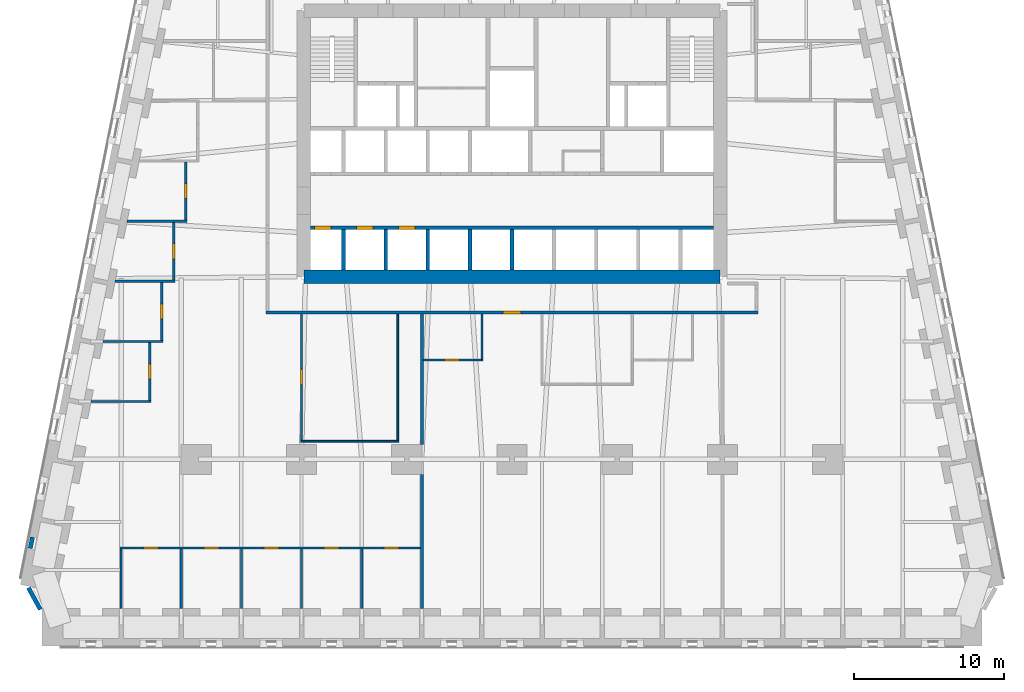
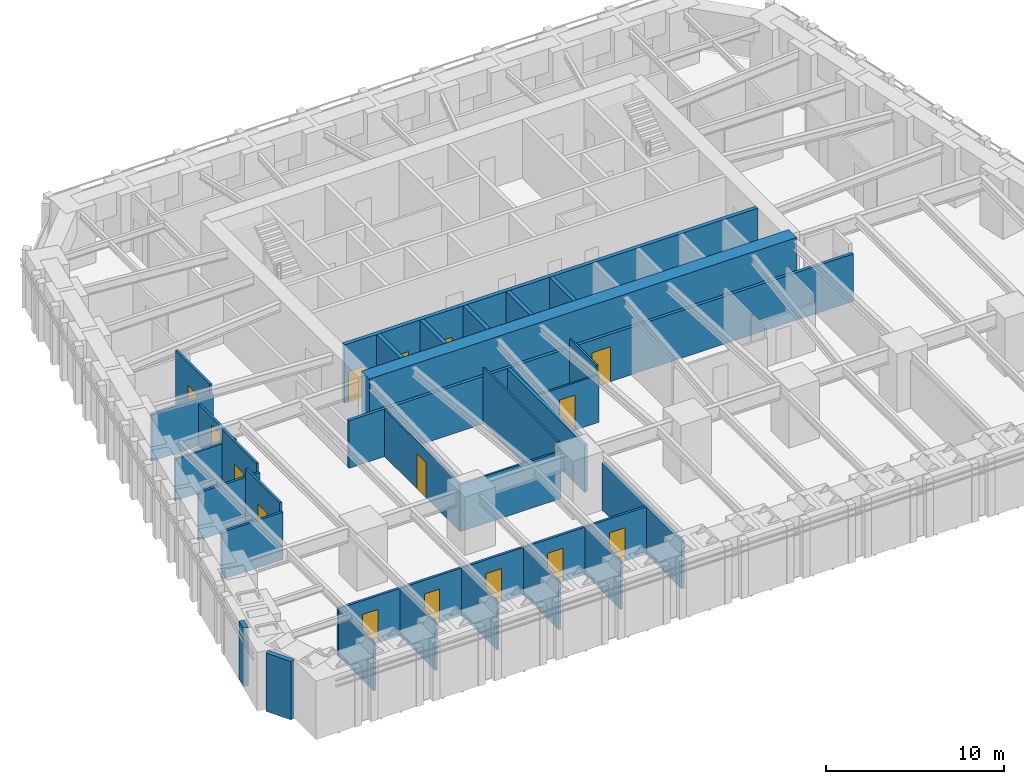
# One storey, part 12 of 17: 31 walls, 15 doors, 15 openings.
"""IFC4 building model written with IfcOpenShell, lengths in metres."""

from ifc_helpers import new_model, si_unit, direction, frame, frame_2d, origin, place, context, subcontext, project, spatial, rectangle, extrude, material, layer, layer_set, type_object, element, fill, save


model = new_model("IFC4")

# Units and contexts
model_context = context("Model", 3, precision=1e-05, world=origin(), true_north=direction((0.0, 1.0)))
body_context = subcontext(model_context, "Body", "Model", "MODEL_VIEW")
ifc_project = project(units=[si_unit("LENGTHUNIT", "METRE"), si_unit("AREAUNIT", "SQUARE_METRE"), si_unit("VOLUMEUNIT", "CUBIC_METRE"), si_unit("PLANEANGLEUNIT", "RADIAN"), si_unit("MASSUNIT", "GRAM", prefix="KILO")], contexts=[model_context])

# Site, building, storey
site_placement = place(None, origin())
site = spatial("IfcSite", under=ifc_project, at=site_placement, CompositionType="ELEMENT")
building_placement = place(site_placement, origin())
building = spatial("IfcBuilding", under=site, at=building_placement, Name="Isbrekke Arena Tower", CompositionType="ELEMENT")
storey_placement = place(building_placement, frame((0.0, 0.0, 48.0)))
storey = spatial("IfcBuildingStorey", under=building, at=storey_placement, Name="L09", CompositionType="ELEMENT", Elevation=48.0)

# Wall
ifc_material_1 = material(Name="Concrete B65 (C65/80)", Category="concrete")
ifc_layer_1 = layer(ifc_material_1, 0.89990234375)
ifc_layer_set_1 = layer_set([ifc_layer_1], Name="CW2 CORE WALL 900")
wall_type_1 = type_object("IfcWallType", Name="CW2 CORE WALL 900", PredefinedType="SHEAR", material=ifc_layer_set_1)
wall_1_placement = place(storey_placement, frame((-13.85009765625, 6.14990234375, 0.0), z_axis=(0.0, 0.0, 1.0), x_axis=(1.0, 0.0, 0.0)))
element("IfcWall", 1, at=wall_1_placement, inside=storey, type_object=wall_type_1, Name="Core wall S L09", PredefinedType="SHEAR", context=body_context, shape_type="SweptSolid", body=[
    extrude(rectangle(XDim=27.7001953125, YDim=0.89990234375, at=frame_2d((13.85009765625, 0.0))), origin(), (0.0, 0.0, 1.0), 4.0),
])

# Wall, openings, doors
ifc_material_2 = material(Name="Concrete B45 (C45/55)", Category="concrete")
ifc_layer_2 = layer(ifc_material_2, 0.25)
ifc_layer_set_2 = layer_set([ifc_layer_2], Name="CW6 SHAFT WALL 250")
wall_type_2 = type_object("IfcWallType", Name="CW6 SHAFT WALL 250", PredefinedType="SHEAR", material=ifc_layer_set_2)
wall_2_placement = place(storey_placement, frame((-13.39990234375, 9.39990234375, 0.0), z_axis=(0.0, 0.0, 1.0), x_axis=(1.0, 0.0, 0.0)))
wall_2 = element("IfcWall", 2, at=wall_2_placement, inside=storey, type_object=wall_type_2, Name="Core wall LS L09", PredefinedType="SHEAR", context=body_context, shape_type="SweptSolid", body=[
    extrude(rectangle(XDim=26.7998046875, YDim=0.25, at=frame_2d((13.39990234375, 0.0))), origin(), (0.0, 0.0, 1.0), 4.0),
])
opening_1_placement = place(wall_2_placement, frame((0.25, 0.0, 0.0)))
opening_1 = element("IfcOpeningElement", 3, at=opening_1_placement, cuts=wall_2, Name="Opening LD1", PredefinedType="OPENING", context=body_context, shape_type="SweptSolid", body=[
    extrude(rectangle(XDim=1.10009765625, YDim=2.10009765625, at=frame_2d((0.550048828125, 1.050048828125))), frame((0.0, 0.139892578125, 0.0), z_axis=(0.0, -1.0, 0.0), x_axis=(1.0, 0.0, 0.0)), (0.0, 0.0, 1.0), 0.27978515625),
])
opening_2_placement = place(wall_2_placement, frame((3.050048828125, 0.0, 0.0)))
opening_2 = element("IfcOpeningElement", 4, at=opening_2_placement, cuts=wall_2, Name="Opening LD1", PredefinedType="OPENING", context=body_context, shape_type="SweptSolid", body=[
    extrude(rectangle(XDim=1.10009765625, YDim=2.10009765625, at=frame_2d((0.550048828125, 1.050048828125))), frame((0.0, 0.139892578125, 0.0), z_axis=(0.0, -1.0, 0.0), x_axis=(1.0, 0.0, 0.0)), (0.0, 0.0, 1.0), 0.27978515625),
])
opening_3_placement = place(wall_2_placement, frame((5.85009765625, 0.0, 0.0)))
opening_3 = element("IfcOpeningElement", 5, at=opening_3_placement, cuts=wall_2, Name="Opening LD1", PredefinedType="OPENING", context=body_context, shape_type="SweptSolid", body=[
    extrude(rectangle(XDim=1.10009765625, YDim=2.10009765625, at=frame_2d((0.550048828125, 1.050048828125))), frame((0.0, 0.139892578125, 0.0), z_axis=(0.0, -1.0, 0.0), x_axis=(1.0, 0.0, 0.0)), (0.0, 0.0, 1.0), 0.27978515625),
])
ifc_material_3 = material(Name="Stainless steel lift landing door", Category="steel")
door_type_1 = type_object("IfcDoorType", Name="LD1 LIFT LANDING DOOR 1100 x 2100", OperationType="SLIDING_TO_LEFT", PredefinedType="DOOR", material=ifc_material_3)
door_1_placement = place(opening_1_placement, origin())
door_1 = element("IfcDoor", 6, at=door_1_placement, inside=storey, type_object=door_type_1, Name="LD1 lift landing door LA L09", OperationType="SLIDING_TO_LEFT", OverallHeight=2.10009765625, OverallWidth=1.10009765625, PredefinedType="DOOR", context=body_context, shape_type="SweptSolid", body=[
    extrude(rectangle(XDim=1.10009765625, YDim=2.10009765625, at=frame_2d((0.550048828125, 1.050048828125))), frame((0.0, 0.124755859375, 0.0), z_axis=(0.0, -1.0, 0.0), x_axis=(1.0, 0.0, 0.0)), (0.0, 0.0, 1.0), 0.24951171875),
])
fill(opening_1, door_1)
door_2_placement = place(opening_2_placement, origin())
door_2 = element("IfcDoor", 7, at=door_2_placement, inside=storey, type_object=door_type_1, Name="LD1 lift landing door LA L09", OperationType="SLIDING_TO_LEFT", OverallHeight=2.10009765625, OverallWidth=1.10009765625, PredefinedType="DOOR", context=body_context, shape_type="SweptSolid", body=[
    extrude(rectangle(XDim=1.10009765625, YDim=2.10009765625, at=frame_2d((0.550048828125, 1.050048828125))), frame((0.0, 0.124755859375, 0.0), z_axis=(0.0, -1.0, 0.0), x_axis=(1.0, 0.0, 0.0)), (0.0, 0.0, 1.0), 0.24951171875),
])
fill(opening_2, door_2)
door_3_placement = place(opening_3_placement, origin())
door_3 = element("IfcDoor", 8, at=door_3_placement, inside=storey, type_object=door_type_1, Name="LD1 lift landing door LA L09", OperationType="SLIDING_TO_LEFT", OverallHeight=2.10009765625, OverallWidth=1.10009765625, PredefinedType="DOOR", context=body_context, shape_type="SweptSolid", body=[
    extrude(rectangle(XDim=1.10009765625, YDim=2.10009765625, at=frame_2d((0.550048828125, 1.050048828125))), frame((0.0, 0.124755859375, 0.0), z_axis=(0.0, -1.0, 0.0), x_axis=(1.0, 0.0, 0.0)), (0.0, 0.0, 1.0), 0.24951171875),
])
fill(opening_3, door_3)

# Walls
for number, where, z_axis, x_axis, name in (
    (9, (-11.199951171875, 6.60009765625, 0.0), (0.0, 0.0, 1.0), (0.0, 1.0, 0.0), "Core wall SS01 L09"),
    (10, (-8.39990234375, 6.60009765625, 0.0), (0.0, 0.0, 1.0), (0.0, 1.0, 0.0), "Core wall SS02 L09"),
    (11, (-5.60009765625, 6.60009765625, 0.0), (0.0, 0.0, 1.0), (0.0, 1.0, 0.0), "Core wall SS03 L09"),
    (12, (-2.800048828125, 6.60009765625, 0.0), (0.0, 0.0, 1.0), (0.0, 1.0, 0.0), "Core wall SS04 L09"),
    (13, (0.0, 6.60009765625, 0.0), (0.0, 0.0, 1.0), (0.0, 1.0, 0.0), "Core wall SS05 L09"),
):
    element("IfcWall", number, at=place(storey_placement, frame(where, z_axis=z_axis, x_axis=x_axis)), inside=storey, type_object=wall_type_2, Name=name, PredefinedType="SHEAR", context=body_context, shape_type="SweptSolid", body=[
        extrude(rectangle(XDim=2.6748046875, YDim=0.25, at=frame_2d((1.33740234375, 0.0))), origin(), (0.0, 0.0, 1.0), 4.0),
    ])
ifc_material_4 = material(Name="Insulated aluminium panel on steel framing", Category="steel")
ifc_layer_3 = layer(ifc_material_4, 0.300048828125)
ifc_layer_set_3 = layer_set([ifc_layer_3], Name="EW4 INSULATED PANEL WALL 300")
wall_type_3 = type_object("IfcWallType", Name="EW4 INSULATED PANEL WALL 300", PredefinedType="SOLIDWALL", material=ifc_layer_set_3)
wall_3_placement = place(storey_placement, frame((-31.890380859375, -11.1767578125, 0.0), z_axis=(0.0, 0.0, 1.0), x_axis=(-0.195867092459, -0.980630451338, 0.0)))
element("IfcWall", 14, at=wall_3_placement, inside=storey, type_object=wall_type_3, Name="EW4 closure panel L09-W 1", PredefinedType="SOLIDWALL", context=body_context, shape_type="SweptSolid", body=[
    extrude(rectangle(XDim=0.754150390625, YDim=0.300048828125, at=frame_2d((0.376953125, 0.0))), origin(), (0.0, 0.0, 1.0), 4.0),
])
wall_4_placement = place(storey_placement, frame((-32.160400390625, -14.538818359375, 0.0), z_axis=(0.0, 0.0, 1.0), x_axis=(0.481879089964, -0.876237720402, 0.0)))
element("IfcWall", 15, at=wall_4_placement, inside=storey, type_object=wall_type_3, Name="EW4 corner closure panel L09-WS", PredefinedType="SOLIDWALL", context=body_context, shape_type="SweptSolid", body=[
    extrude(rectangle(XDim=1.654296875, YDim=0.300048828125, at=frame_2d((0.8271484375, 0.0))), origin(), (0.0, 0.0, 1.0), 4.0),
])

# Wall, openings, doors
ifc_material_5 = material(Name="Gypsum board partition on steel studs", Category="steel")
ifc_layer_4 = layer(ifc_material_5, 0.14990234375)
ifc_layer_set_4 = layer_set([ifc_layer_4], Name="IW1 PARTITION 150")
wall_type_4 = type_object("IfcWallType", Name="IW1 PARTITION 150", PredefinedType="PARTITIONING", material=ifc_layer_set_4)
wall_5_placement = place(storey_placement, frame((-26.074951171875, -11.89990234375, 0.0), z_axis=(0.0, 0.0, 1.0), x_axis=(1.0, 0.0, 0.0)))
wall_5 = element("IfcWall", 16, at=wall_5_placement, inside=storey, type_object=wall_type_4, Name="IW1 partition 150 L09", PredefinedType="PARTITIONING", context=body_context, shape_type="SweptSolid", body=[
    extrude(rectangle(XDim=19.974853515625, YDim=0.14990234375, at=frame_2d((9.9873046875, 0.0))), origin(), (0.0, 0.0, 1.0), 3.25),
])
opening_4_placement = place(wall_5_placement, frame((1.574951171875, 0.0, 0.0)))
opening_4 = element("IfcOpeningElement", 17, at=opening_4_placement, cuts=wall_5, Name="Opening D10", PredefinedType="OPENING", context=body_context, shape_type="SweptSolid", body=[
    extrude(rectangle(XDim=1.0, YDim=2.300048828125, at=frame_2d((0.5, 1.14990234375))), frame((0.0, 0.08984375, 0.0), z_axis=(0.0, -1.0, 0.0), x_axis=(1.0, 0.0, 0.0)), (0.0, 0.0, 1.0), 0.1796875),
])
opening_5_placement = place(wall_5_placement, frame((5.574951171875, 0.0, 0.0)))
opening_5 = element("IfcOpeningElement", 18, at=opening_5_placement, cuts=wall_5, Name="Opening D10", PredefinedType="OPENING", context=body_context, shape_type="SweptSolid", body=[
    extrude(rectangle(XDim=1.0, YDim=2.300048828125, at=frame_2d((0.5, 1.14990234375))), frame((0.0, 0.08984375, 0.0), z_axis=(0.0, -1.0, 0.0), x_axis=(1.0, 0.0, 0.0)), (0.0, 0.0, 1.0), 0.1796875),
])
opening_6_placement = place(wall_5_placement, frame((9.574951171875, 0.0, 0.0)))
opening_6 = element("IfcOpeningElement", 19, at=opening_6_placement, cuts=wall_5, Name="Opening D10", PredefinedType="OPENING", context=body_context, shape_type="SweptSolid", body=[
    extrude(rectangle(XDim=1.0, YDim=2.300048828125, at=frame_2d((0.5, 1.14990234375))), frame((0.0, 0.08984375, 0.0), z_axis=(0.0, -1.0, 0.0), x_axis=(1.0, 0.0, 0.0)), (0.0, 0.0, 1.0), 0.1796875),
])
opening_7_placement = place(wall_5_placement, frame((13.574951171875, 0.0, 0.0)))
opening_7 = element("IfcOpeningElement", 20, at=opening_7_placement, cuts=wall_5, Name="Opening D10", PredefinedType="OPENING", context=body_context, shape_type="SweptSolid", body=[
    extrude(rectangle(XDim=1.0, YDim=2.300048828125, at=frame_2d((0.5, 1.14990234375))), frame((0.0, 0.08984375, 0.0), z_axis=(0.0, -1.0, 0.0), x_axis=(1.0, 0.0, 0.0)), (0.0, 0.0, 1.0), 0.1796875),
])
opening_8_placement = place(wall_5_placement, frame((17.574951171875, 0.0, 0.0)))
opening_8 = element("IfcOpeningElement", 21, at=opening_8_placement, cuts=wall_5, Name="Opening D10", PredefinedType="OPENING", context=body_context, shape_type="SweptSolid", body=[
    extrude(rectangle(XDim=1.0, YDim=2.300048828125, at=frame_2d((0.5, 1.14990234375))), frame((0.0, 0.08984375, 0.0), z_axis=(0.0, -1.0, 0.0), x_axis=(1.0, 0.0, 0.0)), (0.0, 0.0, 1.0), 0.1796875),
])
ifc_material_6 = material(Name="Timber door", Category="wood")
door_type_2 = type_object("IfcDoorType", Name="D10 OFFICE DOOR 1000 x 2300", OperationType="SINGLE_SWING_LEFT", PredefinedType="DOOR", material=ifc_material_6)
door_4_placement = place(opening_4_placement, origin())
door_4 = element("IfcDoor", 22, at=door_4_placement, inside=storey, type_object=door_type_2, Name="D10 office door L09", OperationType="SINGLE_SWING_LEFT", OverallHeight=2.300048828125, OverallWidth=1.0, PredefinedType="DOOR", context=body_context, shape_type="SweptSolid", body=[
    extrude(rectangle(XDim=1.0, YDim=2.300048828125, at=frame_2d((0.5, 1.14990234375))), frame((0.0, 0.07470703125, 0.0), z_axis=(0.0, -1.0, 0.0), x_axis=(1.0, 0.0, 0.0)), (0.0, 0.0, 1.0), 0.1494140625),
])
fill(opening_4, door_4)
door_5_placement = place(opening_5_placement, origin())
door_5 = element("IfcDoor", 23, at=door_5_placement, inside=storey, type_object=door_type_2, Name="D10 office door L09", OperationType="SINGLE_SWING_LEFT", OverallHeight=2.300048828125, OverallWidth=1.0, PredefinedType="DOOR", context=body_context, shape_type="SweptSolid", body=[
    extrude(rectangle(XDim=1.0, YDim=2.300048828125, at=frame_2d((0.5, 1.14990234375))), frame((0.0, 0.07470703125, 0.0), z_axis=(0.0, -1.0, 0.0), x_axis=(1.0, 0.0, 0.0)), (0.0, 0.0, 1.0), 0.1494140625),
])
fill(opening_5, door_5)
door_6_placement = place(opening_6_placement, origin())
door_6 = element("IfcDoor", 24, at=door_6_placement, inside=storey, type_object=door_type_2, Name="D10 office door L09", OperationType="SINGLE_SWING_LEFT", OverallHeight=2.300048828125, OverallWidth=1.0, PredefinedType="DOOR", context=body_context, shape_type="SweptSolid", body=[
    extrude(rectangle(XDim=1.0, YDim=2.300048828125, at=frame_2d((0.5, 1.14990234375))), frame((0.0, 0.07470703125, 0.0), z_axis=(0.0, -1.0, 0.0), x_axis=(1.0, 0.0, 0.0)), (0.0, 0.0, 1.0), 0.1494140625),
])
fill(opening_6, door_6)
door_7_placement = place(opening_7_placement, origin())
door_7 = element("IfcDoor", 25, at=door_7_placement, inside=storey, type_object=door_type_2, Name="D10 office door L09", OperationType="SINGLE_SWING_LEFT", OverallHeight=2.300048828125, OverallWidth=1.0, PredefinedType="DOOR", context=body_context, shape_type="SweptSolid", body=[
    extrude(rectangle(XDim=1.0, YDim=2.300048828125, at=frame_2d((0.5, 1.14990234375))), frame((0.0, 0.07470703125, 0.0), z_axis=(0.0, -1.0, 0.0), x_axis=(1.0, 0.0, 0.0)), (0.0, 0.0, 1.0), 0.1494140625),
])
fill(opening_7, door_7)
door_8_placement = place(opening_8_placement, origin())
door_8 = element("IfcDoor", 26, at=door_8_placement, inside=storey, type_object=door_type_2, Name="D10 office door L09", OperationType="SINGLE_SWING_LEFT", OverallHeight=2.300048828125, OverallWidth=1.0, PredefinedType="DOOR", context=body_context, shape_type="SweptSolid", body=[
    extrude(rectangle(XDim=1.0, YDim=2.300048828125, at=frame_2d((0.5, 1.14990234375))), frame((0.0, 0.07470703125, 0.0), z_axis=(0.0, -1.0, 0.0), x_axis=(1.0, 0.0, 0.0)), (0.0, 0.0, 1.0), 0.1494140625),
])
fill(opening_8, door_8)

# Walls
wall_6_placement = place(storey_placement, frame((-27.996337890625, -2.159912109375, 0.0), z_axis=(0.0, 0.0, 1.0), x_axis=(1.0, 0.0, 0.0)))
element("IfcWall", 27, at=wall_6_placement, inside=storey, type_object=wall_type_4, Name="IW1 partition 150 L09", PredefinedType="PARTITIONING", context=body_context, shape_type="SweptSolid", body=[
    extrude(rectangle(XDim=3.971435546875, YDim=0.14990234375, at=frame_2d((1.98583984375, 0.0))), origin(), (0.0, 0.0, 1.0), 3.25),
])
wall_7_placement = place(storey_placement, frame((-27.1962890625, 1.840087890625, 0.0), z_axis=(0.0, 0.0, 1.0), x_axis=(1.0, 0.0, 0.0)))
element("IfcWall", 28, at=wall_7_placement, inside=storey, type_object=wall_type_4, Name="IW1 partition 150 L09", PredefinedType="PARTITIONING", context=body_context, shape_type="SweptSolid", body=[
    extrude(rectangle(XDim=3.97119140625, YDim=0.14990234375, at=frame_2d((1.985595703125, 0.0))), origin(), (0.0, 0.0, 1.0), 3.25),
])
wall_8_placement = place(storey_placement, frame((-26.396484375, 5.840087890625, 0.0), z_axis=(0.0, 0.0, 1.0), x_axis=(1.0, 0.0, 0.0)))
element("IfcWall", 29, at=wall_8_placement, inside=storey, type_object=wall_type_4, Name="IW1 partition 150 L09", PredefinedType="PARTITIONING", context=body_context, shape_type="SweptSolid", body=[
    extrude(rectangle(XDim=3.971435546875, YDim=0.14990234375, at=frame_2d((1.98583984375, 0.0))), origin(), (0.0, 0.0, 1.0), 2.842041015625),
])
wall_9_placement = place(storey_placement, frame((-25.596435546875, 9.840087890625, 0.0), z_axis=(0.0, 0.0, 1.0), x_axis=(1.0, 0.0, 0.0)))
element("IfcWall", 30, at=wall_9_placement, inside=storey, type_object=wall_type_4, Name="IW1 partition 150 L09", PredefinedType="PARTITIONING", context=body_context, shape_type="SweptSolid", body=[
    extrude(rectangle(XDim=3.971435546875, YDim=0.14990234375, at=frame_2d((1.98583984375, 0.0))), origin(), (0.0, 0.0, 1.0), 3.25),
])
wall_10_placement = place(storey_placement, frame((-26.0, -15.925048828125, 0.0), z_axis=(0.0, 0.0, 1.0), x_axis=(0.0, 1.0, 0.0)))
element("IfcWall", 31, at=wall_10_placement, inside=storey, type_object=wall_type_4, Name="IW1 partition 150 L09", PredefinedType="PARTITIONING", context=body_context, shape_type="SweptSolid", body=[
    extrude(rectangle(XDim=3.949951171875, YDim=0.14990234375, at=frame_2d((1.97509765625, 0.0))), origin(), (0.0, 0.0, 1.0), 3.25),
])

# Wall, opening, door
wall_11_placement = place(storey_placement, frame((-24.10009765625, -2.0849609375, 0.0), z_axis=(0.0, 0.0, 1.0), x_axis=(0.0, 1.0, 0.0)))
wall_11 = element("IfcWall", 32, at=wall_11_placement, inside=storey, type_object=wall_type_4, Name="IW1 partition 150 L09", PredefinedType="PARTITIONING", context=body_context, shape_type="SweptSolid", body=[
    extrude(rectangle(XDim=3.849853515625, YDim=0.14990234375, at=frame_2d((1.9248046875, 0.0))), origin(), (0.0, 0.0, 1.0), 3.85009765625),
])
opening_9_placement = place(wall_11_placement, frame((1.425048828125, 0.0, 0.0)))
opening_9 = element("IfcOpeningElement", 33, at=opening_9_placement, cuts=wall_11, Name="Opening D10", PredefinedType="OPENING", context=body_context, shape_type="SweptSolid", body=[
    extrude(rectangle(XDim=1.0, YDim=2.300048828125, at=frame_2d((0.5, 1.14990234375))), frame((0.0, 0.08984375, 0.0), z_axis=(0.0, -1.0, 0.0), x_axis=(1.0, 0.0, 0.0)), (0.0, 0.0, 1.0), 0.1796875),
])
door_9_placement = place(opening_9_placement, origin())
door_9 = element("IfcDoor", 34, at=door_9_placement, inside=storey, type_object=door_type_2, Name="D10 office door L09", OperationType="SINGLE_SWING_LEFT", OverallHeight=2.300048828125, OverallWidth=1.0, PredefinedType="DOOR", context=body_context, shape_type="SweptSolid", body=[
    extrude(rectangle(XDim=1.0, YDim=2.300048828125, at=frame_2d((0.5, 1.14990234375))), frame((0.0, 0.07470703125, 0.0), z_axis=(0.0, -1.0, 0.0), x_axis=(1.0, 0.0, 0.0)), (0.0, 0.0, 1.0), 0.1494140625),
])
fill(opening_9, door_9)

wall_12_placement = place(storey_placement, frame((-23.300048828125, 1.9150390625, 0.0), z_axis=(0.0, 0.0, 1.0), x_axis=(0.0, 1.0, 0.0)))
wall_12 = element("IfcWall", 35, at=wall_12_placement, inside=storey, type_object=wall_type_4, Name="IW1 partition 150 L09", PredefinedType="PARTITIONING", context=body_context, shape_type="SweptSolid", body=[
    extrude(rectangle(XDim=3.849853515625, YDim=0.14990234375, at=frame_2d((1.9248046875, 0.0))), origin(), (0.0, 0.0, 1.0), 3.85009765625),
])
opening_10_placement = place(wall_12_placement, frame((1.425048828125, 0.0, 0.0)))
opening_10 = element("IfcOpeningElement", 36, at=opening_10_placement, cuts=wall_12, Name="Opening D10", PredefinedType="OPENING", context=body_context, shape_type="SweptSolid", body=[
    extrude(rectangle(XDim=1.0, YDim=2.300048828125, at=frame_2d((0.5, 1.14990234375))), frame((0.0, 0.08984375, 0.0), z_axis=(0.0, -1.0, 0.0), x_axis=(1.0, 0.0, 0.0)), (0.0, 0.0, 1.0), 0.1796875),
])
door_10_placement = place(opening_10_placement, origin())
door_10 = element("IfcDoor", 37, at=door_10_placement, inside=storey, type_object=door_type_2, Name="D10 office door L09", OperationType="SINGLE_SWING_LEFT", OverallHeight=2.300048828125, OverallWidth=1.0, PredefinedType="DOOR", context=body_context, shape_type="SweptSolid", body=[
    extrude(rectangle(XDim=1.0, YDim=2.300048828125, at=frame_2d((0.5, 1.14990234375))), frame((0.0, 0.07470703125, 0.0), z_axis=(0.0, -1.0, 0.0), x_axis=(1.0, 0.0, 0.0)), (0.0, 0.0, 1.0), 0.1494140625),
])
fill(opening_10, door_10)

wall_13_placement = place(storey_placement, frame((-22.5, 5.9150390625, 0.0), z_axis=(0.0, 0.0, 1.0), x_axis=(0.0, 1.0, 0.0)))
wall_13 = element("IfcWall", 38, at=wall_13_placement, inside=storey, type_object=wall_type_4, Name="IW1 partition 150 L09", PredefinedType="PARTITIONING", context=body_context, shape_type="SweptSolid", body=[
    extrude(rectangle(XDim=3.849853515625, YDim=0.14990234375, at=frame_2d((1.9248046875, 0.0))), origin(), (0.0, 0.0, 1.0), 2.842041015625),
])
opening_11_placement = place(wall_13_placement, frame((1.425048828125, 0.0, 0.0)))
opening_11 = element("IfcOpeningElement", 39, at=opening_11_placement, cuts=wall_13, Name="Opening D10", PredefinedType="OPENING", context=body_context, shape_type="SweptSolid", body=[
    extrude(rectangle(XDim=1.0, YDim=2.300048828125, at=frame_2d((0.5, 1.14990234375))), frame((0.0, 0.08984375, 0.0), z_axis=(0.0, -1.0, 0.0), x_axis=(1.0, 0.0, 0.0)), (0.0, 0.0, 1.0), 0.1796875),
])
door_11_placement = place(opening_11_placement, origin())
door_11 = element("IfcDoor", 40, at=door_11_placement, inside=storey, type_object=door_type_2, Name="D10 office door L09", OperationType="SINGLE_SWING_LEFT", OverallHeight=2.300048828125, OverallWidth=1.0, PredefinedType="DOOR", context=body_context, shape_type="SweptSolid", body=[
    extrude(rectangle(XDim=1.0, YDim=2.300048828125, at=frame_2d((0.5, 1.14990234375))), frame((0.0, 0.07470703125, 0.0), z_axis=(0.0, -1.0, 0.0), x_axis=(1.0, 0.0, 0.0)), (0.0, 0.0, 1.0), 0.1494140625),
])
fill(opening_11, door_11)

# Wall
wall_14_placement = place(storey_placement, frame((-22.0, -15.925048828125, 0.0), z_axis=(0.0, 0.0, 1.0), x_axis=(0.0, 1.0, 0.0)))
element("IfcWall", 41, at=wall_14_placement, inside=storey, type_object=wall_type_4, Name="IW1 partition 150 L09", PredefinedType="PARTITIONING", context=body_context, shape_type="SweptSolid", body=[
    extrude(rectangle(XDim=3.949951171875, YDim=0.14990234375, at=frame_2d((1.97509765625, 0.0))), origin(), (0.0, 0.0, 1.0), 3.25),
])

# Wall, opening, door
wall_15_placement = place(storey_placement, frame((-21.699951171875, 9.9150390625, 0.0), z_axis=(0.0, 0.0, 1.0), x_axis=(0.0, 1.0, 0.0)))
wall_15 = element("IfcWall", 42, at=wall_15_placement, inside=storey, type_object=wall_type_4, Name="IW1 partition 150 L09", PredefinedType="PARTITIONING", context=body_context, shape_type="SweptSolid", body=[
    extrude(rectangle(XDim=3.849853515625, YDim=0.14990234375, at=frame_2d((1.9248046875, 0.0))), origin(), (0.0, 0.0, 1.0), 3.85009765625),
])
opening_12_placement = place(wall_15_placement, frame((1.425048828125, 0.0, 0.0)))
opening_12 = element("IfcOpeningElement", 43, at=opening_12_placement, cuts=wall_15, Name="Opening D10", PredefinedType="OPENING", context=body_context, shape_type="SweptSolid", body=[
    extrude(rectangle(XDim=1.0, YDim=2.300048828125, at=frame_2d((0.5, 1.14990234375))), frame((0.0, 0.08984375, 0.0), z_axis=(0.0, -1.0, 0.0), x_axis=(1.0, 0.0, 0.0)), (0.0, 0.0, 1.0), 0.1796875),
])
door_12_placement = place(opening_12_placement, origin())
door_12 = element("IfcDoor", 44, at=door_12_placement, inside=storey, type_object=door_type_2, Name="D10 office door L09", OperationType="SINGLE_SWING_LEFT", OverallHeight=2.300048828125, OverallWidth=1.0, PredefinedType="DOOR", context=body_context, shape_type="SweptSolid", body=[
    extrude(rectangle(XDim=1.0, YDim=2.300048828125, at=frame_2d((0.5, 1.14990234375))), frame((0.0, 0.07470703125, 0.0), z_axis=(0.0, -1.0, 0.0), x_axis=(1.0, 0.0, 0.0)), (0.0, 0.0, 1.0), 0.1494140625),
])
fill(opening_12, door_12)

# Walls
for number, where, z_axis, x_axis, name in (
    (45, (-18.0, -15.925048828125, 0.0), (0.0, 0.0, 1.0), (0.0, 1.0, 0.0), "IW1 partition 150 L09"),
    (46, (-14.0, -15.925048828125, 0.0), (0.0, 0.0, 1.0), (0.0, 1.0, 0.0), "IW1 partition 150 L09"),
    (47, (-10.0, -15.925048828125, 0.0), (0.0, 0.0, 1.0), (0.0, 1.0, 0.0), "IW1 partition 150 L09"),
):
    element("IfcWall", number, at=place(storey_placement, frame(where, z_axis=z_axis, x_axis=x_axis)), inside=storey, type_object=wall_type_4, Name=name, PredefinedType="PARTITIONING", context=body_context, shape_type="SweptSolid", body=[
        extrude(rectangle(XDim=3.949951171875, YDim=0.14990234375, at=frame_2d((1.97509765625, 0.0))), origin(), (0.0, 0.0, 1.0), 3.25),
    ])
ifc_material_7 = material(Name="Frameless glazed partition, laminated acoustic glass", Category="glass")
ifc_layer_5 = layer(ifc_material_7, 0.1201171875)
ifc_layer_set_5 = layer_set([ifc_layer_5], Name="IW2 GLAZED PARTITION 120")
wall_type_5 = type_object("IfcWallType", Name="IW2 GLAZED PARTITION 120", PredefinedType="PARTITIONING", material=ifc_layer_set_5)
wall_16_placement = place(storey_placement, frame((-14.06005859375, -4.800048828125, 0.0), z_axis=(0.0, 0.0, 1.0), x_axis=(1.0, 0.0, 0.0)))
element("IfcWall", 48, at=wall_16_placement, inside=storey, type_object=wall_type_5, Name="IW2 glazed partition 120 L09", PredefinedType="PARTITIONING", context=body_context, shape_type="SweptSolid", body=[
    extrude(rectangle(XDim=6.52001953125, YDim=0.1201171875, at=frame_2d((3.260009765625, 0.0))), origin(), (0.0, 0.0, 1.0), 3.25),
])

# Wall, opening, door
wall_17_placement = place(storey_placement, frame((-5.89990234375, 0.60009765625, 0.0), z_axis=(0.0, 0.0, 1.0), x_axis=(1.0, 0.0, 0.0)))
wall_17 = element("IfcWall", 49, at=wall_17_placement, inside=storey, type_object=wall_type_5, Name="IW2 glazed partition 120 L09", PredefinedType="PARTITIONING", context=body_context, shape_type="SweptSolid", body=[
    extrude(rectangle(XDim=3.9599609375, YDim=0.1201171875, at=frame_2d((1.97998046875, 0.0))), origin(), (0.0, 0.0, 1.0), 3.25),
])
opening_13_placement = place(wall_17_placement, frame((1.39990234375, 0.0, 0.0)))
opening_13 = element("IfcOpeningElement", 50, at=opening_13_placement, cuts=wall_17, Name="Opening D11", PredefinedType="OPENING", context=body_context, shape_type="SweptSolid", body=[
    extrude(rectangle(XDim=1.0, YDim=2.39990234375, at=frame_2d((0.5, 1.199951171875))), frame((0.0, 0.074951171875, 0.0), z_axis=(0.0, -1.0, 0.0), x_axis=(1.0, 0.0, 0.0)), (0.0, 0.0, 1.0), 0.14990234375),
])
ifc_material_8 = material(Name="Frameless glazed door", Category="glass")
door_type_3 = type_object("IfcDoorType", Name="D11 GLAZED MEETING ROOM DOOR 1000 x 2400", OperationType="SINGLE_SWING_RIGHT", PredefinedType="DOOR", material=ifc_material_8)
door_13_placement = place(opening_13_placement, origin())
door_13 = element("IfcDoor", 51, at=door_13_placement, inside=storey, type_object=door_type_3, Name="D11 quiet room door L09", OperationType="SINGLE_SWING_RIGHT", OverallHeight=2.39990234375, OverallWidth=1.0, PredefinedType="DOOR", context=body_context, shape_type="SweptSolid", body=[
    extrude(rectangle(XDim=1.0, YDim=2.39990234375, at=frame_2d((0.5, 1.199951171875))), frame((0.0, 0.059814453125, 0.0), z_axis=(0.0, -1.0, 0.0), x_axis=(1.0, 0.0, 0.0)), (0.0, 0.0, 1.0), 0.11962890625),
])
fill(opening_13, door_13)

wall_18_placement = place(storey_placement, frame((-14.0, -4.739990234375, 0.0), z_axis=(0.0, 0.0, 1.0), x_axis=(0.0, 1.0, 0.0)))
wall_18 = element("IfcWall", 52, at=wall_18_placement, inside=storey, type_object=wall_type_5, Name="IW2 glazed partition 120 L09", PredefinedType="PARTITIONING", context=body_context, shape_type="SweptSolid", body=[
    extrude(rectangle(XDim=8.389892578125, YDim=0.1201171875, at=frame_2d((4.19482421875, 0.0))), origin(), (0.0, 0.0, 1.0), 3.25),
])
opening_14_placement = place(wall_18_placement, frame((3.715087890625, 0.0, 0.0)))
opening_14 = element("IfcOpeningElement", 53, at=opening_14_placement, cuts=wall_18, Name="Opening D11", PredefinedType="OPENING", context=body_context, shape_type="SweptSolid", body=[
    extrude(rectangle(XDim=1.0, YDim=2.39990234375, at=frame_2d((0.5, 1.199951171875))), frame((0.0, 0.074951171875, 0.0), z_axis=(0.0, -1.0, 0.0), x_axis=(1.0, 0.0, 0.0)), (0.0, 0.0, 1.0), 0.14990234375),
])
door_14_placement = place(opening_14_placement, origin())
door_14 = element("IfcDoor", 54, at=door_14_placement, inside=storey, type_object=door_type_3, Name="D11 meeting room door L09", OperationType="SINGLE_SWING_RIGHT", OverallHeight=2.39990234375, OverallWidth=1.0, PredefinedType="DOOR", context=body_context, shape_type="SweptSolid", body=[
    extrude(rectangle(XDim=1.0, YDim=2.39990234375, at=frame_2d((0.5, 1.199951171875))), frame((0.0, 0.059814453125, 0.0), z_axis=(0.0, -1.0, 0.0), x_axis=(1.0, 0.0, 0.0)), (0.0, 0.0, 1.0), 0.11962890625),
])
fill(opening_14, door_14)

# Walls
wall_19_placement = place(storey_placement, frame((-7.60009765625, -4.739990234375, 0.0), z_axis=(0.0, 0.0, 1.0), x_axis=(0.0, 1.0, 0.0)))
element("IfcWall", 55, at=wall_19_placement, inside=storey, type_object=wall_type_5, Name="IW2 glazed partition 120 L09", PredefinedType="PARTITIONING", context=body_context, shape_type="SweptSolid", body=[
    extrude(rectangle(XDim=8.389892578125, YDim=0.1201171875, at=frame_2d((4.19482421875, 0.0))), origin(), (0.0, 0.0, 1.0), 3.85009765625),
])
wall_20_placement = place(storey_placement, frame((-2.0, 0.659912109375, 0.0), z_axis=(0.0, 0.0, 1.0), x_axis=(0.0, 1.0, 0.0)))
element("IfcWall", 56, at=wall_20_placement, inside=storey, type_object=wall_type_5, Name="IW2 glazed partition 120 L09", PredefinedType="PARTITIONING", context=body_context, shape_type="SweptSolid", body=[
    extrude(rectangle(XDim=2.989990234375, YDim=0.1201171875, at=frame_2d((1.4951171875, 0.0))), origin(), (0.0, 0.0, 1.0), 3.85009765625),
])

# Wall, opening, door
ifc_material_9 = material(Name="Gypsum board fire-cell wall on steel studs, two layers each side", Category="steel")
ifc_layer_6 = layer(ifc_material_9, 0.199951171875)
ifc_layer_set_6 = layer_set([ifc_layer_6], Name="IW3 FIRE-CELL WALL 200")
wall_type_6 = type_object("IfcWallType", Name="IW3 FIRE-CELL WALL 200", PredefinedType="PARTITIONING", material=ifc_layer_set_6)
wall_21_placement = place(storey_placement, frame((-16.35009765625, 3.75, 0.0), z_axis=(0.0, 0.0, 1.0), x_axis=(1.0, 0.0, 0.0)))
wall_21 = element("IfcWall", 57, at=wall_21_placement, inside=storey, type_object=wall_type_6, Name="IW3 fire-cell wall 200 L09", PredefinedType="PARTITIONING", context=body_context, shape_type="SweptSolid", body=[
    extrude(rectangle(XDim=32.7001953125, YDim=0.199951171875, at=frame_2d((16.35009765625, 0.0))), origin(), (0.0, 0.0, 1.0), 3.25),
])
opening_15_placement = place(wall_21_placement, frame((15.75, 0.0, 0.0)))
opening_15 = element("IfcOpeningElement", 58, at=opening_15_placement, cuts=wall_21, Name="Opening D12", PredefinedType="OPENING", context=body_context, shape_type="SweptSolid", body=[
    extrude(rectangle(XDim=1.199951171875, YDim=2.39990234375, at=frame_2d((0.60009765625, 1.199951171875))), frame((0.0, 0.11474609375, 0.0), z_axis=(0.0, -1.0, 0.0), x_axis=(1.0, 0.0, 0.0)), (0.0, 0.0, 1.0), 0.229736328125),
])
ifc_material_10 = material(Name="Timber fire door with vision panel", Category="wood")
door_type_4 = type_object("IfcDoorType", Name="D12 SUITE ENTRANCE DOOR 1200 x 2400", OperationType="SINGLE_SWING_LEFT", PredefinedType="DOOR", material=ifc_material_10)
door_15_placement = place(opening_15_placement, origin())
door_15 = element("IfcDoor", 59, at=door_15_placement, inside=storey, type_object=door_type_4, Name="D12 suite entrance S door L09", OperationType="SINGLE_SWING_LEFT", OverallHeight=2.39990234375, OverallWidth=1.199951171875, PredefinedType="DOOR", context=body_context, shape_type="SweptSolid", body=[
    extrude(rectangle(XDim=1.199951171875, YDim=2.39990234375, at=frame_2d((0.60009765625, 1.199951171875))), frame((0.0, 0.099609375, 0.0), z_axis=(0.0, -1.0, 0.0), x_axis=(1.0, 0.0, 0.0)), (0.0, 0.0, 1.0), 0.199462890625),
])
fill(opening_15, door_15)

# Walls
wall_22_placement = place(storey_placement, frame((-6.0, -15.925048828125, 0.0), z_axis=(0.0, 0.0, 1.0), x_axis=(0.0, 1.0, 0.0)))
element("IfcWall", 60, at=wall_22_placement, inside=storey, type_object=wall_type_6, Name="IW3 fire-cell wall 200 L09", PredefinedType="PARTITIONING", context=body_context, shape_type="SweptSolid", body=[
    extrude(rectangle(XDim=8.925048828125, YDim=0.199951171875, at=frame_2d((4.46240234375, 0.0))), origin(), (0.0, 0.0, 1.0), 3.25),
])
wall_23_placement = place(storey_placement, frame((-6.0, -5.0, 0.0), z_axis=(0.0, 0.0, 1.0), x_axis=(0.0, 1.0, 0.0)))
element("IfcWall", 61, at=wall_23_placement, inside=storey, type_object=wall_type_6, Name="IW3 fire-cell wall 200 L09", PredefinedType="PARTITIONING", context=body_context, shape_type="SweptSolid", body=[
    extrude(rectangle(XDim=8.64990234375, YDim=0.199951171875, at=frame_2d((4.324951171875, 0.0))), origin(), (0.0, 0.0, 1.0), 3.25),
])

save(model, "model.ifc")
